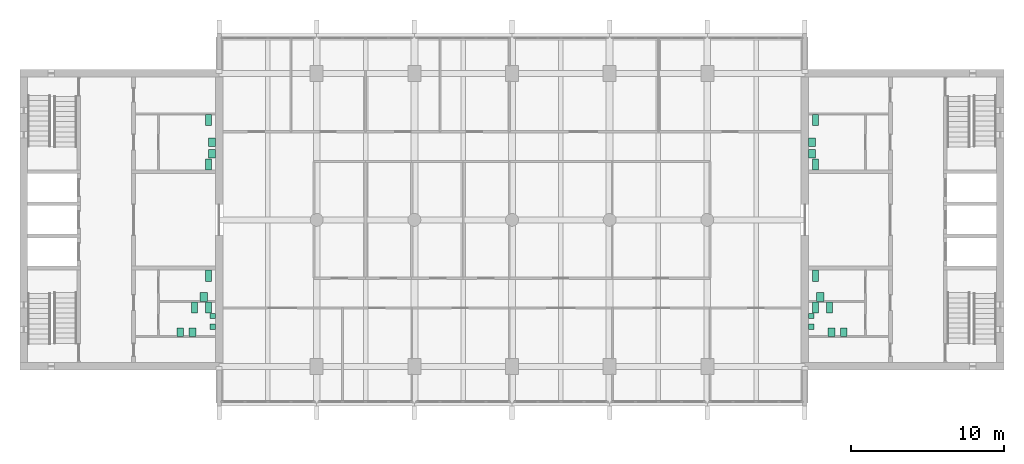
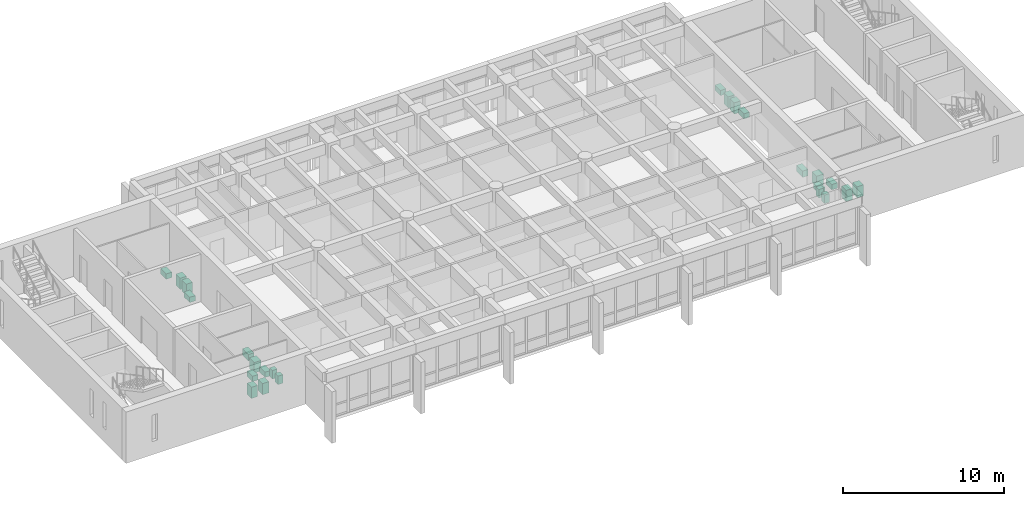
# One storey, part 15 of 15: 24 sanitary terminals.
"""IFC4 building model written with IfcOpenShell, lengths in metres."""

from ifc_helpers import new_model, si_unit, direction, frame, origin, origin_2d, place, context, subcontext, project, spatial, rectangle, extrude, material, type_object, element, save


model = new_model("IFC4")

# Units and contexts
model_context = context("Model", 3, precision=1e-05, world=origin(), true_north=direction((0.0, 1.0)))
body_context = subcontext(model_context, "Body", "Model", "MODEL_VIEW")
ifc_project = project(units=[si_unit("LENGTHUNIT", "METRE"), si_unit("AREAUNIT", "SQUARE_METRE"), si_unit("VOLUMEUNIT", "CUBIC_METRE"), si_unit("PLANEANGLEUNIT", "RADIAN"), si_unit("MASSUNIT", "GRAM", prefix="KILO")], contexts=[model_context])

# Site, building, storey
site_placement = place(None, origin())
site = spatial("IfcSite", under=ifc_project, at=site_placement, CompositionType="ELEMENT")
building_placement = place(site_placement, origin())
building = spatial("IfcBuilding", under=site, at=building_placement, Name="Fogon Plaza Fire Station and Headquarters Tower", CompositionType="ELEMENT")
storey_placement = place(building_placement, frame((0.0, 0.0, 52.199951171875)))
storey = spatial("IfcBuildingStorey", under=building, at=storey_placement, Name="L13", CompositionType="ELEMENT", Elevation=52.199951171875)

# Sanitary terminals
ifc_material_1 = material(Name="Vitreous china")
sanitary_terminal_type_1 = type_object("IfcSanitaryTerminalType", Name="Accessible Hand Basin 600x500", PredefinedType="WASHHANDBASIN", material=ifc_material_1)
for number, where, z_axis, x_axis, name in (
    (1, (24.60009765625, 38.14990234375, 0.0), (0.0, 0.0, 1.0), (1.0, 0.0, 0.0), "Accessible Hand Basin"),
    (2, (65.0, 38.14990234375, 0.0), (0.0, 0.0, 1.0), (1.0, 0.0, 0.0), "Accessible Hand Basin"),
):
    element("IfcSanitaryTerminal", number, at=place(storey_placement, frame(where, z_axis=z_axis, x_axis=x_axis)), inside=storey, type_object=sanitary_terminal_type_1, Name=name, PredefinedType="WASHHANDBASIN", context=body_context, shape_type="SweptSolid", body=[
        extrude(rectangle(XDim=0.5, YDim=0.60009765625, at=origin_2d()), origin(), (0.0, 0.0, 1.0), 0.800048828125),
    ])
ifc_material_2 = material(Name="Vitreous china")
sanitary_terminal_type_2 = type_object("IfcSanitaryTerminalType", Name="Accessible WC Pan 400x750", PredefinedType="TOILETPAN", material=ifc_material_2)
for number, where, z_axis, x_axis, name in (
    (3, (24.89990234375, 39.550048828125, 0.0), (0.0, 0.0, 1.0), (1.0, 0.0, 0.0), "Accessible WC Pan"),
    (4, (64.699951171875, 39.550048828125, 0.0), (0.0, 0.0, 1.0), (1.0, 0.0, 0.0), "Accessible WC Pan"),
):
    element("IfcSanitaryTerminal", number, at=place(storey_placement, frame(where, z_axis=z_axis, x_axis=x_axis)), inside=storey, type_object=sanitary_terminal_type_2, Name=name, PredefinedType="TOILETPAN", context=body_context, shape_type="SweptSolid", body=[
        extrude(rectangle(XDim=0.39990234375, YDim=0.75, at=origin_2d()), origin(), (0.0, 0.0, 1.0), 0.47998046875),
    ])
ifc_material_3 = material(Name="Vitreous china")
sanitary_terminal_type_3 = type_object("IfcSanitaryTerminalType", Name="Hand Basin 550x450", PredefinedType="WASHHANDBASIN", material=ifc_material_3)
for number, where, z_axis, x_axis, name in (
    (5, (23.85009765625, 35.824951171875, 0.0), (0.0, 0.0, 1.0), (1.0, 0.0, 0.0), "Hand Basin"),
    (6, (23.050048828125, 35.824951171875, 0.0), (0.0, 0.0, 1.0), (1.0, 0.0, 0.0), "Hand Basin"),
    (7, (25.125, 47.52490234375, 0.0), (0.0, 0.0, 1.0), (1.0, 0.0, 0.0), "Hand Basin"),
    (8, (25.125, 48.27490234375, 0.0), (0.0, 0.0, 1.0), (1.0, 0.0, 0.0), "Hand Basin"),
    (9, (65.75, 35.824951171875, 0.0), (0.0, 0.0, 1.0), (1.0, 0.0, 0.0), "Hand Basin"),
    (10, (66.550048828125, 35.824951171875, 0.0), (0.0, 0.0, 1.0), (1.0, 0.0, 0.0), "Hand Basin"),
    (11, (64.47509765625, 47.52490234375, 0.0), (0.0, 0.0, 1.0), (1.0, 0.0, 0.0), "Hand Basin"),
    (12, (64.47509765625, 48.27490234375, 0.0), (0.0, 0.0, 1.0), (1.0, 0.0, 0.0), "Hand Basin"),
):
    element("IfcSanitaryTerminal", number, at=place(storey_placement, frame(where, z_axis=z_axis, x_axis=x_axis)), inside=storey, type_object=sanitary_terminal_type_3, Name=name, PredefinedType="WASHHANDBASIN", context=body_context, shape_type="SweptSolid", body=[
        extrude(rectangle(XDim=0.449951171875, YDim=0.550048828125, at=origin_2d()), origin(), (0.0, 0.0, 1.0), 0.85009765625),
    ])
ifc_material_4 = material(Name="Vitreous china")
sanitary_terminal_type_4 = type_object("IfcSanitaryTerminalType", Name="Urinal 350x350", PredefinedType="URINAL", material=ifc_material_4)
for number, where, z_axis, x_axis, name in (
    (13, (25.175048828125, 36.199951171875, 0.0), (0.0, 0.0, 1.0), (1.0, 0.0, 0.0), "Urinal"),
    (14, (25.175048828125, 36.89990234375, 0.0), (0.0, 0.0, 1.0), (1.0, 0.0, 0.0), "Urinal"),
    (15, (64.425048828125, 36.199951171875, 0.0), (0.0, 0.0, 1.0), (1.0, 0.0, 0.0), "Urinal"),
    (16, (64.425048828125, 36.89990234375, 0.0), (0.0, 0.0, 1.0), (1.0, 0.0, 0.0), "Urinal"),
):
    element("IfcSanitaryTerminal", number, at=place(storey_placement, frame(where, z_axis=z_axis, x_axis=x_axis)), inside=storey, type_object=sanitary_terminal_type_4, Name=name, PredefinedType="URINAL", context=body_context, shape_type="SweptSolid", body=[
        extrude(rectangle(XDim=0.35009765625, YDim=0.35009765625, at=origin_2d()), origin(), (0.0, 0.0, 1.0), 0.64990234375),
    ])
ifc_material_5 = material(Name="Vitreous china")
sanitary_terminal_type_5 = type_object("IfcSanitaryTerminalType", Name="WC Pan 400x700", PredefinedType="TOILETPAN", material=ifc_material_5)
for number, where, z_axis, x_axis, name in (
    (17, (24.89990234375, 37.449951171875, 0.0), (0.0, 0.0, 1.0), (1.0, 0.0, 0.0), "WC Pan"),
    (18, (24.0, 37.449951171875, 0.0), (0.0, 0.0, 1.0), (1.0, 0.0, 0.0), "WC Pan"),
    (19, (24.89990234375, 49.75, 0.0), (0.0, 0.0, 1.0), (1.0, 0.0, 0.0), "WC Pan"),
    (20, (24.89990234375, 46.824951171875, 0.0), (0.0, 0.0, 1.0), (1.0, 0.0, 0.0), "WC Pan"),
    (21, (64.699951171875, 37.449951171875, 0.0), (0.0, 0.0, 1.0), (1.0, 0.0, 0.0), "WC Pan"),
    (22, (65.60009765625, 37.449951171875, 0.0), (0.0, 0.0, 1.0), (1.0, 0.0, 0.0), "WC Pan"),
    (23, (64.699951171875, 49.75, 0.0), (0.0, 0.0, 1.0), (1.0, 0.0, 0.0), "WC Pan"),
    (24, (64.699951171875, 46.824951171875, 0.0), (0.0, 0.0, 1.0), (1.0, 0.0, 0.0), "WC Pan"),
):
    element("IfcSanitaryTerminal", number, at=place(storey_placement, frame(where, z_axis=z_axis, x_axis=x_axis)), inside=storey, type_object=sanitary_terminal_type_5, Name=name, PredefinedType="TOILETPAN", context=body_context, shape_type="SweptSolid", body=[
        extrude(rectangle(XDim=0.39990234375, YDim=0.699951171875, at=origin_2d()), origin(), (0.0, 0.0, 1.0), 0.39990234375),
    ])

save(model, "model.ifc")
